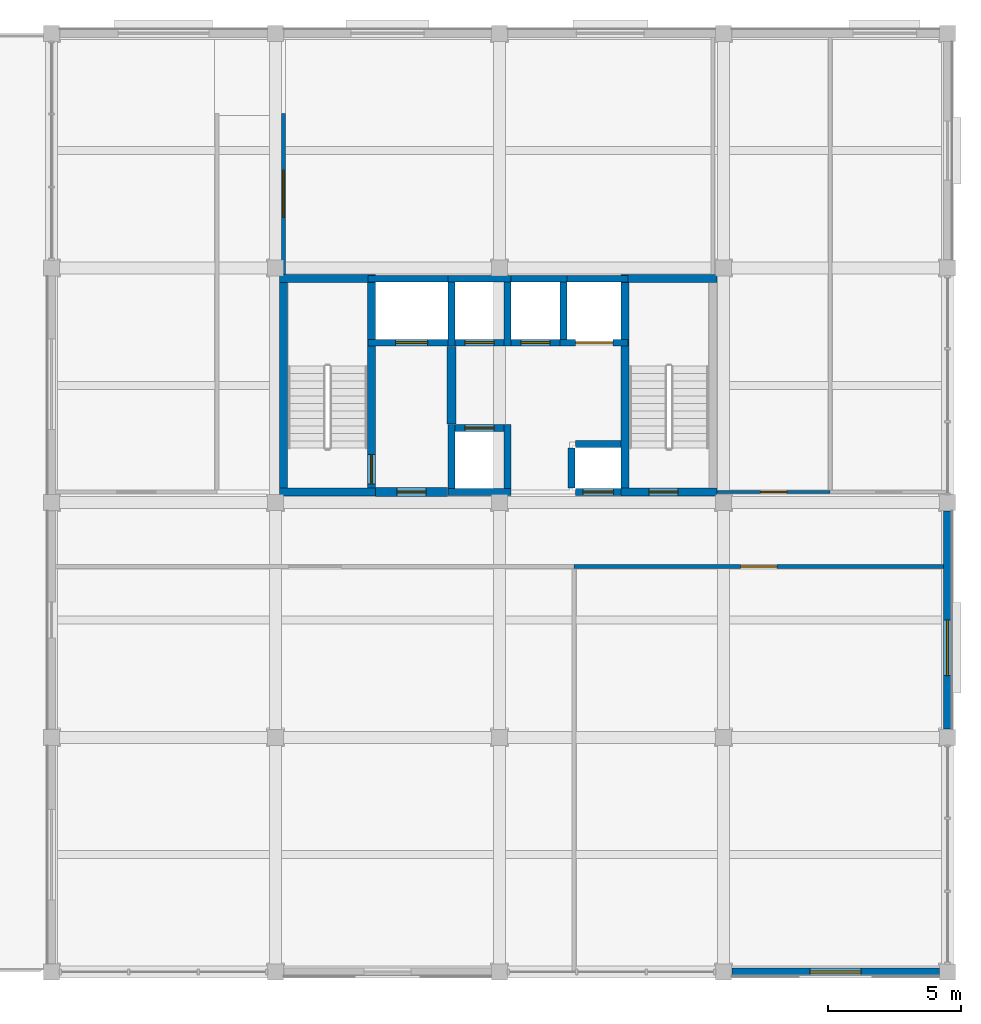
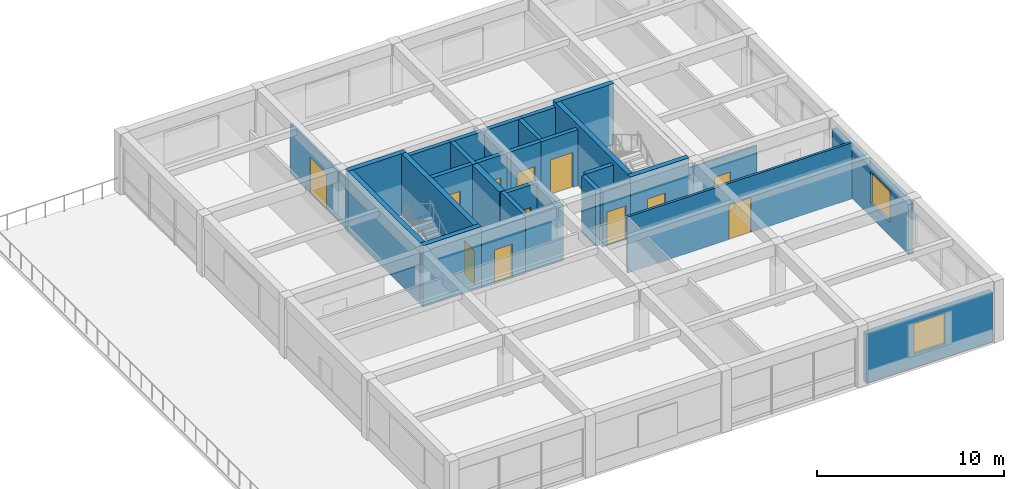
# One storey, part 6 of 10: 32 walls, 12 doors, 2 windows, 14 openings.
"""IFC4 building model written with IfcOpenShell, lengths in metres."""

import ifcopenshell
import ifcopenshell.guid

model = None  # the IFC model being written
_history = None  # IfcOwnerHistory: only IFC2X3 demands one
_inside = {}  # id of a spatial element -> (the spatial element, [elements in it])
_under = {}  # id of a project, library or spatial element -> (it, [spatial elements below it])
_declared = {}  # id of a project -> (the project, [libraries it declares])
_typed = {}  # id of a type object -> (the type object, [elements of that type])
_made_of = {}  # id of a material, layer set ... -> (it, [elements and type objects made of it])


def new_model(schema):
    """Start an empty IFC model of exactly this schema.

    Asked for "IFC4X3", IfcOpenShell would pick the latest addendum, in which some entities
    have other attributes; the version numbers below select the first issue.
    IFC2X3 requires an IfcOwnerHistory on every rooted entity: one is made here for all.
    """
    global model, _history
    if schema == "IFC4X3":
        model = ifcopenshell.file(schema_version=(4, 3, 0, 0))
    else:
        model = ifcopenshell.file(schema=schema)
    _inside.clear()
    _under.clear()
    _declared.clear()
    _typed.clear()
    _made_of.clear()
    _history = None
    if model.schema == "IFC2X3":
        org = make("IfcOrganization", Name="unknown")
        user = make(
            "IfcPersonAndOrganization",
            ThePerson=make("IfcPerson", FamilyName="unknown"),
            TheOrganization=org,
        )
        app = make(
            "IfcApplication",
            ApplicationDeveloper=org,
            Version="unknown",
            ApplicationFullName="unknown",
            ApplicationIdentifier="unknown",
        )
        _history = make(
            "IfcOwnerHistory",
            OwningUser=user,
            OwningApplication=app,
            ChangeAction="ADDED",
            CreationDate=0,
        )
    return model


def make(cls, **values):
    """One entity of the class cls with the attributes given. An attribute that is None is left unset."""
    return model.create_entity(
        cls, **{name: value for name, value in values.items() if value is not None}
    )


def rooted(cls, **values):
    """An entity with a GlobalId (a new one), such as an element, a storey or a relation."""
    return make(cls, GlobalId=ifcopenshell.guid.new(), OwnerHistory=_history, **values)


def si_unit(unit_type, name, prefix=None):
    """IfcSIUnit, for example si_unit("LENGTHUNIT", "METRE", prefix="MILLI")."""
    return make("IfcSIUnit", UnitType=unit_type, Prefix=prefix, Name=name)


def assignment(units):
    """IfcUnitAssignment: the units of a project."""
    return None if units is None else make("IfcUnitAssignment", Units=units)


def point(xyz):
    """IfcCartesianPoint."""
    return None if xyz is None else make("IfcCartesianPoint", Coordinates=xyz)


def direction(xyz):
    """IfcDirection."""
    return None if xyz is None else make("IfcDirection", DirectionRatios=xyz)


def frame(location, z_axis=None, x_axis=None):
    """IfcAxis2Placement3D, a coordinate frame: its origin and axes. An axis left out is left unset."""
    return make(
        "IfcAxis2Placement3D",
        Location=point(location),
        Axis=direction(z_axis),
        RefDirection=direction(x_axis),
    )


def frame_2d(location, x_axis=None):
    """IfcAxis2Placement2D, a coordinate frame in the plane: its origin and x axis."""
    return make(
        "IfcAxis2Placement2D", Location=point(location), RefDirection=direction(x_axis)
    )


def origin():
    """The frame at (0, 0, 0) with its axes left unset."""
    return frame((0.0, 0.0, 0.0))


def place(relative_to, where):
    """IfcLocalPlacement: puts the frame where relative to a parent placement (None: the world)."""
    return make(
        "IfcLocalPlacement", PlacementRelTo=relative_to, RelativePlacement=where
    )


def context(
    kind, dimensions, precision=None, world=None, true_north=None, identifier=None
):
    """IfcGeometricRepresentationContext, for example the 3D "Model" context."""
    return make(
        "IfcGeometricRepresentationContext",
        ContextIdentifier=identifier,
        ContextType=kind,
        CoordinateSpaceDimension=dimensions,
        Precision=precision,
        WorldCoordinateSystem=world,
        TrueNorth=true_north,
    )


def subcontext(parent, identifier, kind, view, scale=None):
    """IfcGeometricRepresentationSubContext, for example "Body" below "Model"."""
    return make(
        "IfcGeometricRepresentationSubContext",
        ContextIdentifier=identifier,
        ContextType=kind,
        ParentContext=parent,
        TargetScale=scale,
        TargetView=view,
    )


def project(units=None, contexts=None):
    """IfcProject with its units and contexts."""
    return rooted(
        "IfcProject",
        Name="project",
        RepresentationContexts=contexts,
        UnitsInContext=assignment(units),
    )


def spatial(cls, under=None, at=None, **own):
    """A site, building, storey or space (cls), placed at a placement, below another one or the project."""
    s = rooted(cls, ObjectPlacement=at, **own)
    if under is not None:
        _under.setdefault(under.id(), (under, []))[1].append(s)
    return s


def profile(cls, at=None, kind="AREA", **sizes):
    """A parametric profile (cls). Its sizes go by their IFC names, for example OverallWidth=200.0."""
    return make(cls, ProfileType=kind, Position=at, **sizes)


def rectangle(**sizes):
    """IfcRectangleProfileDef."""
    return profile("IfcRectangleProfileDef", **sizes)


def extrude(swept, where, along, depth):
    """IfcExtrudedAreaSolid: the profile swept, set in the frame where, extruded along a direction by depth."""
    return make(
        "IfcExtrudedAreaSolid",
        SweptArea=swept,
        Position=where,
        ExtrudedDirection=direction(along),
        Depth=depth,
    )


def shape(context_of_items, identifier, shape_type, items):
    """IfcShapeRepresentation: the items that make up one representation, for example the "Body"."""
    return make(
        "IfcShapeRepresentation",
        ContextOfItems=context_of_items,
        RepresentationIdentifier=identifier,
        RepresentationType=shape_type,
        Items=items,
    )


def material(Name=None, Category=None):
    """IfcMaterial."""
    return make("IfcMaterial", Name=Name, Category=Category)


def layer(
    of_material, thickness, ventilated=None, Name=None, Category=None, Priority=None
):
    """IfcMaterialLayer: one layer of a wall or slab, of a material (None: an air gap)."""
    return make(
        "IfcMaterialLayer",
        Material=of_material,
        LayerThickness=thickness,
        IsVentilated=ventilated,
        Name=Name,
        Category=Category,
        Priority=Priority,
    )


def layer_set(layers, Name=None):
    """IfcMaterialLayerSet."""
    return make("IfcMaterialLayerSet", MaterialLayers=layers, LayerSetName=Name)


def made_of(thing, what):
    """Note that an element or type object is made of a material, layer set ...; save() writes the relation."""
    if what is not None:
        _made_of.setdefault(what.id(), (what, []))[1].append(thing)
    return thing


def type_object(cls, material=None, **own):
    """A type object (cls), such as IfcWallType, which elements share."""
    return made_of(rooted(cls, **own), material)


def element(
    cls,
    number,
    at=None,
    inside=None,
    cuts=None,
    type_object=None,
    material=None,
    context=None,
    identifier="Body",
    shape_type=None,
    held_by="IfcProductDefinitionShape",
    body=None,
    shapes=None,
    **own,
):
    """One element of the class cls, such as IfcWall. Its Tag is "e" and its number.

    at: its placement. inside: the storey or other place that contains it. cuts: it is an
    opening in that element (IfcRelVoidsElement). A single representation is given by context,
    identifier, shape_type and body (its items); several are given by shapes. held_by: the class
    of the entity that holds the representations. save() writes the other relations.
    """
    e = rooted(cls, Tag="e%d" % number, ObjectPlacement=at, **own)
    if body is not None:
        shapes = [shape(context, identifier, shape_type, body)]
    if shapes is not None:
        e.Representation = make(held_by, Representations=shapes)
    if inside is not None:
        _inside.setdefault(inside.id(), (inside, []))[1].append(e)
    if cuts is not None:
        rooted(
            "IfcRelVoidsElement", RelatingBuildingElement=cuts, RelatedOpeningElement=e
        )
    if type_object is not None:
        _typed.setdefault(type_object.id(), (type_object, []))[1].append(e)
    return made_of(e, material)


def fill(opening, filler):
    """IfcRelFillsElement: the door or window that sits in an opening."""
    return rooted(
        "IfcRelFillsElement",
        RelatingOpeningElement=opening,
        RelatedBuildingElement=filler,
    )


def aggregate(whole, parts):
    """IfcRelAggregates: a whole, such as a stair, and the parts it consists of."""
    return rooted("IfcRelAggregates", RelatingObject=whole, RelatedObjects=parts)


def save(model, path):
    """Write the relations noted so far, then the file.

    IfcRelAggregates (storeys below a building ...), IfcRelContainedInSpatialStructure (elements
    in a storey), IfcRelDefinesByType, IfcRelAssociatesMaterial and IfcRelDeclares: one each for
    every whole, place, type object, material and project.
    """
    for whole, parts in _under.values():
        aggregate(whole, parts)
    for where, things in _inside.values():
        rooted(
            "IfcRelContainedInSpatialStructure",
            RelatedElements=things,
            RelatingStructure=where,
        )
    for kind, things in _typed.values():
        rooted("IfcRelDefinesByType", RelatedObjects=things, RelatingType=kind)
    for what, things in _made_of.values():
        rooted("IfcRelAssociatesMaterial", RelatedObjects=things, RelatingMaterial=what)
    for by, libraries in _declared.values():
        rooted("IfcRelDeclares", RelatingContext=by, RelatedDefinitions=libraries)
    model.write(path)


model = new_model("IFC4")

# Units and contexts
model_context = context("Model", 3, precision=1e-05, world=origin(), true_north=direction((0.0, 1.0)))
body_context = subcontext(model_context, "Body", "Model", "MODEL_VIEW")
ifc_project = project(units=[si_unit("LENGTHUNIT", "METRE"), si_unit("AREAUNIT", "SQUARE_METRE"), si_unit("VOLUMEUNIT", "CUBIC_METRE"), si_unit("PLANEANGLEUNIT", "RADIAN"), si_unit("MASSUNIT", "GRAM", prefix="KILO")], contexts=[model_context])

# Site, building, storey
site_placement = place(None, origin())
site = spatial("IfcSite", under=ifc_project, at=site_placement, CompositionType="ELEMENT")
building_placement = place(site_placement, origin())
building = spatial("IfcBuilding", under=site, at=building_placement, Name="Kemercrest Conservatory and Botanical Centre", CompositionType="ELEMENT")
storey_placement = place(building_placement, frame((0.0, 0.0, 48.199951171875)))
storey = spatial("IfcBuildingStorey", under=building, at=storey_placement, Name="L12", CompositionType="ELEMENT", Elevation=48.199951171875)

# Wall
ifc_material_1 = material(Name="Concrete C50/60", Category="concrete")
ifc_layer_1 = layer(ifc_material_1, 0.35009765625)
ifc_layer_set_1 = layer_set([ifc_layer_1], Name="Concrete C50/60")
wall_type_1 = type_object("IfcWallType", Name="CW-CORE", PredefinedType="SHEAR", material=ifc_layer_set_1)
wall_1_placement = place(storey_placement, frame((157.39990234375, 107.75, 0.0), z_axis=(0.0, 0.0, 1.0), x_axis=(0.0, 1.0, 0.0)))
element("IfcWall", 1, at=wall_1_placement, inside=storey, type_object=wall_type_1, Name="Firefighting lift lobby 2-hour separation shear wall", PredefinedType="SHEAR", context=body_context, shape_type="SweptSolid", body=[
    extrude(rectangle(XDim=2.89990234375, YDim=0.35009765625, at=frame_2d((1.449951171875, 0.0))), origin(), (0.0, 0.0, 1.0), 3.679931640625),
])

# Wall, opening, door
wall_2_placement = place(storey_placement, frame((154.550048828125, 105.199951171875, 0.0), z_axis=(0.0, 0.0, 1.0), x_axis=(1.0, 0.0, 0.0)))
wall_2 = element("IfcWall", 2, at=wall_2_placement, inside=storey, type_object=wall_type_1, Name="Firefighting lift lobby south shear wall", PredefinedType="SHEAR", context=body_context, shape_type="SweptSolid", body=[
    extrude(rectangle(XDim=2.699951171875, YDim=0.35009765625, at=frame_2d((1.35009765625, 0.0))), origin(), (0.0, 0.0, 1.0), 3.679931640625),
])
opening_1_placement = place(wall_2_placement, frame((0.800048828125, 0.0, 0.0)))
opening_1 = element("IfcOpeningElement", 3, at=opening_1_placement, cuts=wall_2, Name="Opening D095", PredefinedType="OPENING", context=body_context, shape_type="SweptSolid", body=[
    extrude(rectangle(XDim=1.10009765625, YDim=2.199951171875, at=frame_2d((0.550048828125, 1.10009765625))), frame((0.0, 0.18505859375, 0.0), z_axis=(0.0, -1.0, 0.0), x_axis=(1.0, 0.0, 0.0)), (0.0, 0.0, 1.0), 0.3701171875),
])
ifc_material_2 = material(Name="Powder-coated galvanized steel and fire-rated vision glass", Category="steel")
door_type_1 = type_object("IfcDoorType", Name="DT-FD90", OperationType="NOTDEFINED", PredefinedType="DOOR", material=ifc_material_2)
door_1_placement = place(opening_1_placement, origin())
door_1 = element("IfcDoor", 4, at=door_1_placement, inside=storey, type_object=door_type_1, Name="Firefighting lift lobby corridor fire door D095", OperationType="SINGLE_SWING_LEFT", OverallHeight=2.199951171875, OverallWidth=1.10009765625, PredefinedType="DOOR", context=body_context, shape_type="SweptSolid", body=[
    extrude(rectangle(XDim=1.10009765625, YDim=2.199951171875, at=frame_2d((0.550048828125, 1.10009765625))), frame((0.0, 0.02490234375, 0.0), z_axis=(0.0, -1.0, 0.0), x_axis=(1.0, 0.0, 0.0)), (0.0, 0.0, 1.0), 0.050048828125),
])
fill(opening_1, door_1)

# Walls
ifc_layer_2 = layer(ifc_material_1, 0.300048828125)
ifc_layer_set_2 = layer_set([ifc_layer_2], Name="Concrete C50/60")
wall_type_2 = type_object("IfcWallType", Name="CW-STAIR", PredefinedType="SHEAR", material=ifc_layer_set_2)
for number, where, z_axis, x_axis, name in (
    (5, (150.949951171875, 105.199951171875, 0.0), (0.0, 0.0, 1.0), (1.0, 0.0, 0.0), "Stair core ST-V4A shear wall S"),
    (6, (150.949951171875, 113.199951171875, 0.0), (0.0, 0.0, 1.0), (1.0, 0.0, 0.0), "Stair core ST-V4A shear wall N"),
):
    element("IfcWall", number, at=place(storey_placement, frame(where, z_axis=z_axis, x_axis=x_axis)), inside=storey, type_object=wall_type_2, Name=name, PredefinedType="SHEAR", context=body_context, shape_type="SweptSolid", body=[
        extrude(rectangle(XDim=3.60009765625, YDim=0.300048828125, at=frame_2d((1.800048828125, 0.0))), origin(), (0.0, 0.0, 1.0), 4.0),
    ])
wall_3_placement = place(storey_placement, frame((151.10009765625, 105.050048828125, 0.0), z_axis=(0.0, 0.0, 1.0), x_axis=(0.0, 1.0, 0.0)))
element("IfcWall", 7, at=wall_3_placement, inside=storey, type_object=wall_type_2, Name="Stair core ST-V4A shear wall W", PredefinedType="SHEAR", context=body_context, shape_type="SweptSolid", body=[
    extrude(rectangle(XDim=8.300048828125, YDim=0.300048828125, at=frame_2d((4.14990234375, 0.0))), origin(), (0.0, 0.0, 1.0), 4.0),
])

# Wall, opening, door
wall_4_placement = place(storey_placement, frame((154.39990234375, 105.050048828125, 0.0), z_axis=(0.0, 0.0, 1.0), x_axis=(0.0, 1.0, 0.0)))
wall_4 = element("IfcWall", 8, at=wall_4_placement, inside=storey, type_object=wall_type_2, Name="Stair core ST-V4A shear wall E", PredefinedType="SHEAR", context=body_context, shape_type="SweptSolid", body=[
    extrude(rectangle(XDim=8.300048828125, YDim=0.300048828125, at=frame_2d((4.14990234375, 0.0))), origin(), (0.0, 0.0, 1.0), 4.0),
])
opening_2_placement = place(wall_4_placement, frame((0.449951171875, 0.0, 0.0)))
opening_2 = element("IfcOpeningElement", 9, at=opening_2_placement, cuts=wall_4, Name="Opening D038", PredefinedType="OPENING", context=body_context, shape_type="SweptSolid", body=[
    extrude(rectangle(XDim=1.10009765625, YDim=2.199951171875, at=frame_2d((0.550048828125, 1.10009765625))), frame((0.0, 0.16015625, 0.0), z_axis=(0.0, -1.0, 0.0), x_axis=(1.0, 0.0, 0.0)), (0.0, 0.0, 1.0), 0.320068359375),
])
door_2_placement = place(opening_2_placement, frame((1.10009765625, 0.0, 0.0), z_axis=(0.0, 0.0, 1.0), x_axis=(-1.0, 0.0, 0.0)))
door_2 = element("IfcDoor", 10, at=door_2_placement, inside=storey, type_object=door_type_1, Name="Exit stair ST-V4A fire door D038", OperationType="SINGLE_SWING_RIGHT", OverallHeight=2.199951171875, OverallWidth=1.10009765625, PredefinedType="DOOR", context=body_context, shape_type="SweptSolid", body=[
    extrude(rectangle(XDim=1.10009765625, YDim=2.199951171875, at=frame_2d((0.550048828125, 1.10009765625))), frame((0.0, 0.02490234375, 0.0), z_axis=(0.0, -1.0, 0.0), x_axis=(1.0, 0.0, 0.0)), (0.0, 0.0, 1.0), 0.050048828125),
])
fill(opening_2, door_2)

wall_5_placement = place(storey_placement, frame((163.75, 105.199951171875, 0.0), z_axis=(0.0, 0.0, 1.0), x_axis=(1.0, 0.0, 0.0)))
wall_5 = element("IfcWall", 11, at=wall_5_placement, inside=storey, type_object=wall_type_2, Name="Stair core ST-V4B shear wall S", PredefinedType="SHEAR", context=body_context, shape_type="SweptSolid", body=[
    extrude(rectangle(XDim=3.60009765625, YDim=0.300048828125, at=frame_2d((1.800048828125, 0.0))), origin(), (0.0, 0.0, 1.0), 4.0),
])
opening_3_placement = place(wall_5_placement, frame((1.050048828125, 0.0, 0.0)))
opening_3 = element("IfcOpeningElement", 12, at=opening_3_placement, cuts=wall_5, Name="Opening D057", PredefinedType="OPENING", context=body_context, shape_type="SweptSolid", body=[
    extrude(rectangle(XDim=1.10009765625, YDim=2.199951171875, at=frame_2d((0.550048828125, 1.10009765625))), frame((0.0, 0.16015625, 0.0), z_axis=(0.0, -1.0, 0.0), x_axis=(1.0, 0.0, 0.0)), (0.0, 0.0, 1.0), 0.320068359375),
])
door_3_placement = place(opening_3_placement, origin())
door_3 = element("IfcDoor", 13, at=door_3_placement, inside=storey, type_object=door_type_1, Name="Exit stair ST-V4B fire door D057", OperationType="SINGLE_SWING_LEFT", OverallHeight=2.199951171875, OverallWidth=1.10009765625, PredefinedType="DOOR", context=body_context, shape_type="SweptSolid", body=[
    extrude(rectangle(XDim=1.10009765625, YDim=2.199951171875, at=frame_2d((0.550048828125, 1.10009765625))), frame((0.0, 0.02490234375, 0.0), z_axis=(0.0, -1.0, 0.0), x_axis=(1.0, 0.0, 0.0)), (0.0, 0.0, 1.0), 0.050048828125),
])
fill(opening_3, door_3)

# Walls
wall_6_placement = place(storey_placement, frame((163.75, 113.199951171875, 0.0), z_axis=(0.0, 0.0, 1.0), x_axis=(1.0, 0.0, 0.0)))
element("IfcWall", 14, at=wall_6_placement, inside=storey, type_object=wall_type_2, Name="Stair core ST-V4B shear wall N", PredefinedType="SHEAR", context=body_context, shape_type="SweptSolid", body=[
    extrude(rectangle(XDim=3.60009765625, YDim=0.300048828125, at=frame_2d((1.800048828125, 0.0))), origin(), (0.0, 0.0, 1.0), 4.0),
])
wall_7_placement = place(storey_placement, frame((163.89990234375, 105.050048828125, 0.0), z_axis=(0.0, 0.0, 1.0), x_axis=(0.0, 1.0, 0.0)))
element("IfcWall", 15, at=wall_7_placement, inside=storey, type_object=wall_type_2, Name="Stair core ST-V4B shear wall W", PredefinedType="SHEAR", context=body_context, shape_type="SweptSolid", body=[
    extrude(rectangle(XDim=8.300048828125, YDim=0.300048828125, at=frame_2d((4.14990234375, 0.0))), origin(), (0.0, 0.0, 1.0), 4.0),
])

# Wall, opening, window
ifc_material_3 = material(Name="Precast concrete C40/50", Category="concrete")
ifc_layer_3 = layer(ifc_material_3, 0.300048828125)
ifc_layer_set_3 = layer_set([ifc_layer_3], Name="Precast concrete C40/50")
wall_type_3 = type_object("IfcWallType", Name="W-EXT300", PredefinedType="SOLIDWALL", material=ifc_layer_set_3)
wall_8_placement = place(storey_placement, frame((167.909912109375, 87.199951171875, 0.0), z_axis=(0.0, 0.0, 1.0), x_axis=(1.0, 0.0, 0.0)))
wall_8 = element("IfcWall", 16, at=wall_8_placement, inside=storey, type_object=wall_type_3, Name="Exterior almasik wall W-EXT300 (WAL:L12:EXT-313)", PredefinedType="SOLIDWALL", context=body_context, shape_type="SweptSolid", body=[
    extrude(rectangle(XDim=7.780029296875, YDim=0.300048828125, at=frame_2d((3.89013671875, 0.0))), origin(), (0.0, 0.0, 1.0), 3.25),
])
opening_4_placement = place(wall_8_placement, frame((2.929931640625, 0.0, 0.89990234375)))
opening_4 = element("IfcOpeningElement", 17, at=opening_4_placement, cuts=wall_8, Name="Opening WT-50", PredefinedType="OPENING", context=body_context, shape_type="SweptSolid", body=[
    extrude(rectangle(XDim=1.919921875, YDim=1.97998046875, at=frame_2d((0.9599609375, 0.989990234375))), frame((0.0, 0.16015625, 0.0), z_axis=(0.0, -1.0, 0.0), x_axis=(1.0, 0.0, 0.0)), (0.0, 0.0, 1.0), 0.320068359375),
])
ifc_material_4 = material(Name="Thermally broken bronze-anodized aluminium and triple glazing", Category="aluminium")
window_type_1 = type_object("IfcWindowType", Name="WT-50", PartitioningType="SINGLE_PANEL", PredefinedType="WINDOW", material=ifc_material_4)
window_1_placement = place(opening_4_placement, origin())
window_1 = element("IfcWindow", 18, at=window_1_placement, inside=storey, type_object=window_type_1, Name="Exterior window WT-50 (WIN:L12:EXT-313)", OverallHeight=1.97998046875, OverallWidth=1.919921875, PartitioningType="SINGLE_PANEL", PredefinedType="WINDOW", context=body_context, shape_type="SweptSolid", body=[
    extrude(rectangle(XDim=1.919921875, YDim=1.97998046875, at=frame_2d((0.9599609375, 0.989990234375))), frame((0.0, 0.030029296875, 0.0), z_axis=(0.0, -1.0, 0.0), x_axis=(1.0, 0.0, 0.0)), (0.0, 0.0, 1.0), 0.06005859375),
])
fill(opening_4, window_1)

wall_9_placement = place(storey_placement, frame((176.0, 96.31005859375, 0.0), z_axis=(0.0, 0.0, 1.0), x_axis=(0.0, 1.0, 0.0)))
wall_9 = element("IfcWall", 19, at=wall_9_placement, inside=storey, type_object=wall_type_3, Name="Exterior almasik wall W-EXT300 (WAL:L12:EXT-314)", PredefinedType="SOLIDWALL", context=body_context, shape_type="SweptSolid", body=[
    extrude(rectangle(XDim=8.179931640625, YDim=0.300048828125, at=frame_2d((4.08984375, 0.0))), origin(), (0.0, 0.0, 1.0), 3.25),
])
opening_5_placement = place(wall_9_placement, frame((2.0048828125, 0.0, 0.89990234375)))
opening_5 = element("IfcOpeningElement", 20, at=opening_5_placement, cuts=wall_9, Name="Opening WT-51", PredefinedType="OPENING", context=body_context, shape_type="SweptSolid", body=[
    extrude(rectangle(XDim=2.080078125, YDim=2.0400390625, at=frame_2d((1.0400390625, 1.02001953125))), frame((0.0, 0.16015625, 0.0), z_axis=(0.0, -1.0, 0.0), x_axis=(1.0, 0.0, 0.0)), (0.0, 0.0, 1.0), 0.320068359375),
])
window_type_2 = type_object("IfcWindowType", Name="WT-51", PartitioningType="SINGLE_PANEL", PredefinedType="WINDOW", material=ifc_material_4)
window_2_placement = place(opening_5_placement, origin())
window_2 = element("IfcWindow", 21, at=window_2_placement, inside=storey, type_object=window_type_2, Name="Exterior window WT-51 (WIN:L12:EXT-314)", OverallHeight=2.0400390625, OverallWidth=2.080078125, PartitioningType="SINGLE_PANEL", PredefinedType="WINDOW", context=body_context, shape_type="SweptSolid", body=[
    extrude(rectangle(XDim=2.080078125, YDim=2.0400390625, at=frame_2d((1.0400390625, 1.02001953125))), frame((0.0, 0.030029296875, 0.0), z_axis=(0.0, -1.0, 0.0), x_axis=(1.0, 0.0, 0.0)), (0.0, 0.0, 1.0), 0.06005859375),
])
fill(opening_5, window_2)

# Wall, opening, door
ifc_material_5 = material(Name="Moisture-resistant gypsum board partition", Category="gypsum")
ifc_layer_4 = layer(ifc_material_5, 0.125)
ifc_layer_set_4 = layer_set([ifc_layer_4], Name="Moisture-resistant gypsum board partition")
wall_type_4 = type_object("IfcWallType", Name="W-PART125", PredefinedType="PARTITIONING", material=ifc_layer_set_4)
wall_10_placement = place(storey_placement, frame((167.35498046875, 105.199951171875, 0.0), z_axis=(0.0, 0.0, 1.0), x_axis=(1.0, 0.0, 0.0)))
wall_10 = element("IfcWall", 22, at=wall_10_placement, inside=storey, type_object=wall_type_4, Name="Interior partition W-PART125 #271", PredefinedType="PARTITIONING", context=body_context, shape_type="SweptSolid", body=[
    extrude(rectangle(XDim=4.2451171875, YDim=0.125, at=frame_2d((2.12255859375, 0.0))), origin(), (0.0, 0.0, 1.0), 3.2451171875),
])
opening_6_placement = place(wall_10_placement, frame((1.632568359375, 0.0, 0.0)))
opening_6 = element("IfcOpeningElement", 23, at=opening_6_placement, cuts=wall_10, Name="Opening D260", PredefinedType="OPENING", context=body_context, shape_type="SweptSolid", body=[
    extrude(rectangle(XDim=0.97998046875, YDim=2.10009765625, at=frame_2d((0.489990234375, 1.050048828125))), frame((0.0, 0.072509765625, 0.0), z_axis=(0.0, -1.0, 0.0), x_axis=(1.0, 0.0, 0.0)), (0.0, 0.0, 1.0), 0.14501953125),
])
ifc_material_6 = material(Name="FSC solid-core white oak veneer and anodized aluminium frame", Category="aluminium")
door_type_2 = type_object("IfcDoorType", Name="DT-02", OperationType="NOTDEFINED", PredefinedType="DOOR", material=ifc_material_6)
door_4_placement = place(opening_6_placement, origin())
door_4 = element("IfcDoor", 24, at=door_4_placement, inside=storey, type_object=door_type_2, Name="Public Washroom door D260", OperationType="SINGLE_SWING_RIGHT", OverallHeight=2.10009765625, OverallWidth=0.97998046875, PredefinedType="DOOR", context=body_context, shape_type="SweptSolid", body=[
    extrude(rectangle(XDim=0.97998046875, YDim=2.10009765625, at=frame_2d((0.489990234375, 1.050048828125))), frame((0.0, 0.02490234375, 0.0), z_axis=(0.0, -1.0, 0.0), x_axis=(1.0, 0.0, 0.0)), (0.0, 0.0, 1.0), 0.050048828125),
])
fill(opening_6, door_4)

ifc_material_7 = material(Name="Steel-stud gypsum board partition", Category="steel")
ifc_layer_5 = layer(ifc_material_7, 0.14990234375)
ifc_layer_set_5 = layer_set([ifc_layer_5], Name="Steel-stud gypsum board partition")
wall_type_5 = type_object("IfcWallType", Name="W-PART150", PredefinedType="PARTITIONING", material=ifc_layer_set_5)
wall_11_placement = place(storey_placement, frame((162.0, 102.39990234375, 0.0), z_axis=(0.0, 0.0, 1.0), x_axis=(1.0, 0.0, 0.0)))
wall_11 = element("IfcWall", 25, at=wall_11_placement, inside=storey, type_object=wall_type_5, Name="Interior partition W-PART150 #269", PredefinedType="PARTITIONING", context=body_context, shape_type="SweptSolid", body=[
    extrude(rectangle(XDim=13.844970703125, YDim=0.14990234375, at=frame_2d((6.92236328125, 0.0))), origin(), (0.0, 0.0, 1.0), 3.6650390625),
])
opening_7_placement = place(wall_11_placement, frame((6.242431640625, 0.0, 0.0)))
opening_7 = element("IfcOpeningElement", 26, at=opening_7_placement, cuts=wall_11, Name="Opening D258", PredefinedType="OPENING", context=body_context, shape_type="SweptSolid", body=[
    extrude(rectangle(XDim=1.360107421875, YDim=2.260009765625, at=frame_2d((0.68017578125, 1.1298828125))), frame((0.0, 0.0849609375, 0.0), z_axis=(0.0, -1.0, 0.0), x_axis=(1.0, 0.0, 0.0)), (0.0, 0.0, 1.0), 0.169921875),
])
door_type_3 = type_object("IfcDoorType", Name="DT-39", OperationType="DOUBLE_DOOR_SINGLE_SWING", PredefinedType="DOOR", material=ifc_material_6)
door_5_placement = place(opening_7_placement, origin())
door_5 = element("IfcDoor", 27, at=door_5_placement, inside=storey, type_object=door_type_3, Name="Visiting Fellows Lounge door D258", OperationType="DOUBLE_DOOR_SINGLE_SWING", OverallHeight=2.260009765625, OverallWidth=1.360107421875, PredefinedType="DOOR", context=body_context, shape_type="SweptSolid", body=[
    extrude(rectangle(XDim=1.360107421875, YDim=2.260009765625, at=frame_2d((0.68017578125, 1.1298828125))), frame((0.0, 0.02490234375, 0.0), z_axis=(0.0, -1.0, 0.0), x_axis=(1.0, 0.0, 0.0)), (0.0, 0.0, 1.0), 0.050048828125),
])
fill(opening_7, door_5)

wall_12_placement = place(storey_placement, frame((151.10009765625, 113.35498046875, 0.0), z_axis=(0.0, 0.0, 1.0), x_axis=(0.0, 1.0, 0.0)))
wall_12 = element("IfcWall", 28, at=wall_12_placement, inside=storey, type_object=wall_type_5, Name="Interior partition W-PART150 #274", PredefinedType="PARTITIONING", context=body_context, shape_type="SweptSolid", body=[
    extrude(rectangle(XDim=6.044921875, YDim=0.14990234375, at=frame_2d((3.0224609375, 0.0))), origin(), (0.0, 0.0, 1.0), 3.2451171875),
])
opening_8_placement = place(wall_12_placement, frame((2.142578125, 0.0, 0.0)))
opening_8 = element("IfcOpeningElement", 29, at=opening_8_placement, cuts=wall_12, Name="Opening D262", PredefinedType="OPENING", context=body_context, shape_type="SweptSolid", body=[
    extrude(rectangle(XDim=1.760009765625, YDim=2.360107421875, at=frame_2d((0.8798828125, 1.18017578125))), frame((0.0, 0.0849609375, 0.0), z_axis=(0.0, -1.0, 0.0), x_axis=(1.0, 0.0, 0.0)), (0.0, 0.0, 1.0), 0.169921875),
])
door_type_4 = type_object("IfcDoorType", Name="DT-43", OperationType="DOUBLE_DOOR_SINGLE_SWING", PredefinedType="DOOR", material=ifc_material_6)
door_6_placement = place(opening_8_placement, origin())
door_6 = element("IfcDoor", 30, at=door_6_placement, inside=storey, type_object=door_type_4, Name="Fellowship Director Office door D262", OperationType="DOUBLE_DOOR_SINGLE_SWING", OverallHeight=2.360107421875, OverallWidth=1.760009765625, PredefinedType="DOOR", context=body_context, shape_type="SweptSolid", body=[
    extrude(rectangle(XDim=1.760009765625, YDim=2.360107421875, at=frame_2d((0.8798828125, 1.18017578125))), frame((0.0, 0.02490234375, 0.0), z_axis=(0.0, -1.0, 0.0), x_axis=(1.0, 0.0, 0.0)), (0.0, 0.0, 1.0), 0.050048828125),
])
fill(opening_8, door_6)

ifc_material_8 = material(Name="Concrete C40/50", Category="concrete")
ifc_layer_6 = layer(ifc_material_8, 0.25)
ifc_layer_set_6 = layer_set([ifc_layer_6], Name="Concrete C40/50")
wall_type_6 = type_object("IfcWallType", Name="W-SHFT250", PredefinedType="SOLIDWALL", material=ifc_layer_set_6)
wall_13_placement = place(storey_placement, frame((154.27490234375, 110.800048828125, 0.0), z_axis=(0.0, 0.0, 1.0), x_axis=(1.0, 0.0, 0.0)))
wall_13 = element("IfcWall", 31, at=wall_13_placement, inside=storey, type_object=wall_type_6, Name="Elevator LF-FF1 shaft wall south", PredefinedType="SOLIDWALL", context=body_context, shape_type="SweptSolid", body=[
    extrude(rectangle(XDim=3.25, YDim=0.25, at=frame_2d((1.625, 0.0))), origin(), (0.0, 0.0, 1.0), 3.679931640625),
])
opening_9_placement = place(wall_13_placement, frame((1.02490234375, 0.0, 0.0)))
opening_9 = element("IfcOpeningElement", 32, at=opening_9_placement, cuts=wall_13, Name="Opening LD-014", PredefinedType="OPENING", context=body_context, shape_type="SweptSolid", body=[
    extrude(rectangle(XDim=1.199951171875, YDim=2.199951171875, at=frame_2d((0.60009765625, 1.10009765625))), frame((0.0, 0.135009765625, 0.0), z_axis=(0.0, -1.0, 0.0), x_axis=(1.0, 0.0, 0.0)), (0.0, 0.0, 1.0), 0.27001953125),
])
door_type_5 = type_object("IfcDoorType", Name="DT-LD02", OperationType="SLIDING_TO_LEFT", PredefinedType="DOOR", material=ifc_material_2)
door_7_placement = place(opening_9_placement, origin())
door_7 = element("IfcDoor", 33, at=door_7_placement, inside=storey, type_object=door_type_5, Name="Elevator LF-FF1 sliding landing door LD-014", OperationType="SLIDING_TO_LEFT", OverallHeight=2.199951171875, OverallWidth=1.199951171875, PredefinedType="DOOR", context=body_context, shape_type="SweptSolid", body=[
    extrude(rectangle(XDim=1.199951171875, YDim=2.199951171875, at=frame_2d((0.60009765625, 1.10009765625))), frame((0.0, 0.02490234375, 0.0), z_axis=(0.0, -1.0, 0.0), x_axis=(1.0, 0.0, 0.0)), (0.0, 0.0, 1.0), 0.050048828125),
])
fill(opening_9, door_7)

# Walls
wall_14_placement = place(storey_placement, frame((154.27490234375, 113.199951171875, 0.0), z_axis=(0.0, 0.0, 1.0), x_axis=(1.0, 0.0, 0.0)))
element("IfcWall", 34, at=wall_14_placement, inside=storey, type_object=wall_type_6, Name="Elevator LF-FF1 shaft wall north", PredefinedType="SOLIDWALL", context=body_context, shape_type="SweptSolid", body=[
    extrude(rectangle(XDim=3.25, YDim=0.25, at=frame_2d((1.625, 0.0))), origin(), (0.0, 0.0, 1.0), 3.679931640625),
])
wall_15_placement = place(storey_placement, frame((157.39990234375, 110.675048828125, 0.0), z_axis=(0.0, 0.0, 1.0), x_axis=(0.0, 1.0, 0.0)))
element("IfcWall", 35, at=wall_15_placement, inside=storey, type_object=wall_type_6, Name="Elevator LF-FF1 shaft wall east", PredefinedType="SOLIDWALL", context=body_context, shape_type="SweptSolid", body=[
    extrude(rectangle(XDim=2.64990234375, YDim=0.25, at=frame_2d((1.324951171875, 0.0))), origin(), (0.0, 0.0, 1.0), 3.679931640625),
])

# Wall, opening, door
wall_16_placement = place(storey_placement, frame((157.27490234375, 110.800048828125, 0.0), z_axis=(0.0, 0.0, 1.0), x_axis=(1.0, 0.0, 0.0)))
wall_16 = element("IfcWall", 36, at=wall_16_placement, inside=storey, type_object=wall_type_6, Name="Elevator LF-P1 shaft wall south", PredefinedType="SOLIDWALL", context=body_context, shape_type="SweptSolid", body=[
    extrude(rectangle(XDim=2.35009765625, YDim=0.25, at=frame_2d((1.175048828125, 0.0))), origin(), (0.0, 0.0, 1.0), 3.679931640625),
])
opening_10_placement = place(wall_16_placement, frame((0.625, 0.0, 0.0)))
opening_10 = element("IfcOpeningElement", 37, at=opening_10_placement, cuts=wall_16, Name="Opening LD-033", PredefinedType="OPENING", context=body_context, shape_type="SweptSolid", body=[
    extrude(rectangle(XDim=1.10009765625, YDim=2.199951171875, at=frame_2d((0.550048828125, 1.10009765625))), frame((0.0, 0.135009765625, 0.0), z_axis=(0.0, -1.0, 0.0), x_axis=(1.0, 0.0, 0.0)), (0.0, 0.0, 1.0), 0.27001953125),
])
door_type_6 = type_object("IfcDoorType", Name="DT-LD01", OperationType="SLIDING_TO_LEFT", PredefinedType="DOOR", material=ifc_material_2)
door_8_placement = place(opening_10_placement, origin())
door_8 = element("IfcDoor", 38, at=door_8_placement, inside=storey, type_object=door_type_6, Name="Elevator LF-P1 sliding landing door LD-033", OperationType="SLIDING_TO_LEFT", OverallHeight=2.199951171875, OverallWidth=1.10009765625, PredefinedType="DOOR", context=body_context, shape_type="SweptSolid", body=[
    extrude(rectangle(XDim=1.10009765625, YDim=2.199951171875, at=frame_2d((0.550048828125, 1.10009765625))), frame((0.0, 0.02490234375, 0.0), z_axis=(0.0, -1.0, 0.0), x_axis=(1.0, 0.0, 0.0)), (0.0, 0.0, 1.0), 0.050048828125),
])
fill(opening_10, door_8)

# Walls
wall_17_placement = place(storey_placement, frame((157.27490234375, 113.199951171875, 0.0), z_axis=(0.0, 0.0, 1.0), x_axis=(1.0, 0.0, 0.0)))
element("IfcWall", 39, at=wall_17_placement, inside=storey, type_object=wall_type_6, Name="Elevator LF-P1 shaft wall north", PredefinedType="SOLIDWALL", context=body_context, shape_type="SweptSolid", body=[
    extrude(rectangle(XDim=2.35009765625, YDim=0.25, at=frame_2d((1.175048828125, 0.0))), origin(), (0.0, 0.0, 1.0), 3.679931640625),
])
wall_18_placement = place(storey_placement, frame((159.5, 110.675048828125, 0.0), z_axis=(0.0, 0.0, 1.0), x_axis=(0.0, 1.0, 0.0)))
element("IfcWall", 40, at=wall_18_placement, inside=storey, type_object=wall_type_6, Name="Elevator LF-P1 shaft wall east", PredefinedType="SOLIDWALL", context=body_context, shape_type="SweptSolid", body=[
    extrude(rectangle(XDim=2.64990234375, YDim=0.25, at=frame_2d((1.324951171875, 0.0))), origin(), (0.0, 0.0, 1.0), 3.679931640625),
])

# Wall, opening, door
wall_19_placement = place(storey_placement, frame((159.375, 110.800048828125, 0.0), z_axis=(0.0, 0.0, 1.0), x_axis=(1.0, 0.0, 0.0)))
wall_19 = element("IfcWall", 41, at=wall_19_placement, inside=storey, type_object=wall_type_6, Name="Elevator LF-P2 shaft wall south", PredefinedType="SOLIDWALL", context=body_context, shape_type="SweptSolid", body=[
    extrude(rectangle(XDim=2.35009765625, YDim=0.25, at=frame_2d((1.175048828125, 0.0))), origin(), (0.0, 0.0, 1.0), 3.679931640625),
])
opening_11_placement = place(wall_19_placement, frame((0.625, 0.0, 0.0)))
opening_11 = element("IfcOpeningElement", 42, at=opening_11_placement, cuts=wall_19, Name="Opening LD-052", PredefinedType="OPENING", context=body_context, shape_type="SweptSolid", body=[
    extrude(rectangle(XDim=1.10009765625, YDim=2.199951171875, at=frame_2d((0.550048828125, 1.10009765625))), frame((0.0, 0.135009765625, 0.0), z_axis=(0.0, -1.0, 0.0), x_axis=(1.0, 0.0, 0.0)), (0.0, 0.0, 1.0), 0.27001953125),
])
door_9_placement = place(opening_11_placement, origin())
door_9 = element("IfcDoor", 43, at=door_9_placement, inside=storey, type_object=door_type_6, Name="Elevator LF-P2 sliding landing door LD-052", OperationType="SLIDING_TO_LEFT", OverallHeight=2.199951171875, OverallWidth=1.10009765625, PredefinedType="DOOR", context=body_context, shape_type="SweptSolid", body=[
    extrude(rectangle(XDim=1.10009765625, YDim=2.199951171875, at=frame_2d((0.550048828125, 1.10009765625))), frame((0.0, 0.02490234375, 0.0), z_axis=(0.0, -1.0, 0.0), x_axis=(1.0, 0.0, 0.0)), (0.0, 0.0, 1.0), 0.050048828125),
])
fill(opening_11, door_9)

# Walls
wall_20_placement = place(storey_placement, frame((159.375, 113.199951171875, 0.0), z_axis=(0.0, 0.0, 1.0), x_axis=(1.0, 0.0, 0.0)))
element("IfcWall", 44, at=wall_20_placement, inside=storey, type_object=wall_type_6, Name="Elevator LF-P2 shaft wall north", PredefinedType="SOLIDWALL", context=body_context, shape_type="SweptSolid", body=[
    extrude(rectangle(XDim=2.35009765625, YDim=0.25, at=frame_2d((1.175048828125, 0.0))), origin(), (0.0, 0.0, 1.0), 3.679931640625),
])
wall_21_placement = place(storey_placement, frame((161.60009765625, 110.675048828125, 0.0), z_axis=(0.0, 0.0, 1.0), x_axis=(0.0, 1.0, 0.0)))
element("IfcWall", 45, at=wall_21_placement, inside=storey, type_object=wall_type_6, Name="Elevator LF-P2 shaft wall east", PredefinedType="SOLIDWALL", context=body_context, shape_type="SweptSolid", body=[
    extrude(rectangle(XDim=2.64990234375, YDim=0.25, at=frame_2d((1.324951171875, 0.0))), origin(), (0.0, 0.0, 1.0), 3.679931640625),
])
wall_22_placement = place(storey_placement, frame((157.27490234375, 105.199951171875, 0.0), z_axis=(0.0, 0.0, 1.0), x_axis=(1.0, 0.0, 0.0)))
element("IfcWall", 46, at=wall_22_placement, inside=storey, type_object=wall_type_6, Name="Elevator LF-P3 shaft wall south", PredefinedType="SOLIDWALL", context=body_context, shape_type="SweptSolid", body=[
    extrude(rectangle(XDim=2.35009765625, YDim=0.25, at=frame_2d((1.175048828125, 0.0))), origin(), (0.0, 0.0, 1.0), 3.679931640625),
])

# Wall, opening, door
wall_23_placement = place(storey_placement, frame((157.27490234375, 107.60009765625, 0.0), z_axis=(0.0, 0.0, 1.0), x_axis=(1.0, 0.0, 0.0)))
wall_23 = element("IfcWall", 47, at=wall_23_placement, inside=storey, type_object=wall_type_6, Name="Elevator LF-P3 shaft wall north", PredefinedType="SOLIDWALL", context=body_context, shape_type="SweptSolid", body=[
    extrude(rectangle(XDim=2.35009765625, YDim=0.25, at=frame_2d((1.175048828125, 0.0))), origin(), (0.0, 0.0, 1.0), 3.679931640625),
])
opening_12_placement = place(wall_23_placement, frame((0.625, 0.0, 0.0)))
opening_12 = element("IfcOpeningElement", 48, at=opening_12_placement, cuts=wall_23, Name="Opening LD-070", PredefinedType="OPENING", context=body_context, shape_type="SweptSolid", body=[
    extrude(rectangle(XDim=1.10009765625, YDim=2.199951171875, at=frame_2d((0.550048828125, 1.10009765625))), frame((0.0, 0.135009765625, 0.0), z_axis=(0.0, -1.0, 0.0), x_axis=(1.0, 0.0, 0.0)), (0.0, 0.0, 1.0), 0.27001953125),
])
door_10_placement = place(opening_12_placement, origin())
door_10 = element("IfcDoor", 49, at=door_10_placement, inside=storey, type_object=door_type_6, Name="Elevator LF-P3 sliding landing door LD-070", OperationType="SLIDING_TO_LEFT", OverallHeight=2.199951171875, OverallWidth=1.10009765625, PredefinedType="DOOR", context=body_context, shape_type="SweptSolid", body=[
    extrude(rectangle(XDim=1.10009765625, YDim=2.199951171875, at=frame_2d((0.550048828125, 1.10009765625))), frame((0.0, 0.02490234375, 0.0), z_axis=(0.0, -1.0, 0.0), x_axis=(1.0, 0.0, 0.0)), (0.0, 0.0, 1.0), 0.050048828125),
])
fill(opening_12, door_10)

# Walls
for number, where, z_axis, x_axis, name in (
    (50, (157.39990234375, 105.074951171875, 0.0), (0.0, 0.0, 1.0), (0.0, 1.0, 0.0), "Elevator LF-P3 shaft wall west"),
    (51, (159.5, 105.074951171875, 0.0), (0.0, 0.0, 1.0), (0.0, 1.0, 0.0), "Elevator LF-P3 shaft wall east"),
):
    element("IfcWall", number, at=place(storey_placement, frame(where, z_axis=z_axis, x_axis=x_axis)), inside=storey, type_object=wall_type_6, Name=name, PredefinedType="SOLIDWALL", context=body_context, shape_type="SweptSolid", body=[
        extrude(rectangle(XDim=2.650146484375, YDim=0.25, at=frame_2d((1.3251953125, 0.0))), origin(), (0.0, 0.0, 1.0), 3.679931640625),
    ])

# Wall, opening, door
wall_24_placement = place(storey_placement, frame((161.47509765625, 110.800048828125, 0.0), z_axis=(0.0, 0.0, 1.0), x_axis=(1.0, 0.0, 0.0)))
wall_24 = element("IfcWall", 52, at=wall_24_placement, inside=storey, type_object=wall_type_6, Name="Elevator LF-G1 shaft wall south", PredefinedType="SOLIDWALL", context=body_context, shape_type="SweptSolid", body=[
    extrude(rectangle(XDim=2.5498046875, YDim=0.25, at=frame_2d((1.27490234375, 0.0))), origin(), (0.0, 0.0, 1.0), 3.679931640625),
])
opening_13_placement = place(wall_24_placement, frame((0.574951171875, 0.0, 0.0)))
opening_13 = element("IfcOpeningElement", 53, at=opening_13_placement, cuts=wall_24, Name="Opening LD-088", PredefinedType="OPENING", context=body_context, shape_type="SweptSolid", body=[
    extrude(rectangle(XDim=1.39990234375, YDim=2.300048828125, at=frame_2d((0.699951171875, 1.14990234375))), frame((0.0, 0.135009765625, 0.0), z_axis=(0.0, -1.0, 0.0), x_axis=(1.0, 0.0, 0.0)), (0.0, 0.0, 1.0), 0.27001953125),
])
door_type_7 = type_object("IfcDoorType", Name="DT-LD03", OperationType="SLIDING_TO_LEFT", PredefinedType="DOOR", material=ifc_material_2)
door_11_placement = place(opening_13_placement, origin())
door_11 = element("IfcDoor", 54, at=door_11_placement, inside=storey, type_object=door_type_7, Name="Elevator LF-G1 sliding landing door LD-088", OperationType="SLIDING_TO_LEFT", OverallHeight=2.300048828125, OverallWidth=1.39990234375, PredefinedType="DOOR", context=body_context, shape_type="SweptSolid", body=[
    extrude(rectangle(XDim=1.39990234375, YDim=2.300048828125, at=frame_2d((0.699951171875, 1.14990234375))), frame((0.0, 0.02490234375, 0.0), z_axis=(0.0, -1.0, 0.0), x_axis=(1.0, 0.0, 0.0)), (0.0, 0.0, 1.0), 0.050048828125),
])
fill(opening_13, door_11)

# Walls
wall_25_placement = place(storey_placement, frame((161.47509765625, 113.199951171875, 0.0), z_axis=(0.0, 0.0, 1.0), x_axis=(1.0, 0.0, 0.0)))
element("IfcWall", 55, at=wall_25_placement, inside=storey, type_object=wall_type_6, Name="Elevator LF-G1 shaft wall north", PredefinedType="SOLIDWALL", context=body_context, shape_type="SweptSolid", body=[
    extrude(rectangle(XDim=2.5498046875, YDim=0.25, at=frame_2d((1.27490234375, 0.0))), origin(), (0.0, 0.0, 1.0), 3.679931640625),
])
wall_26_placement = place(storey_placement, frame((161.89990234375, 105.35009765625, 0.0), z_axis=(0.0, 0.0, 1.0), x_axis=(0.0, 1.0, 0.0)))
element("IfcWall", 56, at=wall_26_placement, inside=storey, type_object=wall_type_6, Name="Core service riser shaft wall W", PredefinedType="SOLIDWALL", context=body_context, shape_type="SweptSolid", body=[
    extrude(rectangle(XDim=1.5, YDim=0.25, at=frame_2d((0.75, 0.0))), origin(), (0.0, 0.0, 1.0), 3.679931640625),
])
wall_27_placement = place(storey_placement, frame((162.050048828125, 107.0, 0.0), z_axis=(0.0, 0.0, 1.0), x_axis=(1.0, 0.0, 0.0)))
element("IfcWall", 57, at=wall_27_placement, inside=storey, type_object=wall_type_6, Name="Core service riser shaft wall N", PredefinedType="SOLIDWALL", context=body_context, shape_type="SweptSolid", body=[
    extrude(rectangle(XDim=1.699951171875, YDim=0.25, at=frame_2d((0.85009765625, 0.0))), origin(), (0.0, 0.0, 1.0), 3.679931640625),
])

# Wall, opening, door
wall_28_placement = place(storey_placement, frame((162.050048828125, 105.199951171875, 0.0), z_axis=(0.0, 0.0, 1.0), x_axis=(1.0, 0.0, 0.0)))
wall_28 = element("IfcWall", 58, at=wall_28_placement, inside=storey, type_object=wall_type_6, Name="Core service riser shaft wall S", PredefinedType="SOLIDWALL", context=body_context, shape_type="SweptSolid", body=[
    extrude(rectangle(XDim=1.699951171875, YDim=0.25, at=frame_2d((0.85009765625, 0.0))), origin(), (0.0, 0.0, 1.0), 3.679931640625),
])
opening_14_placement = place(wall_28_placement, frame((0.27001953125, 0.0, 0.0)))
opening_14 = element("IfcOpeningElement", 59, at=opening_14_placement, cuts=wall_28, Name="Opening D096", PredefinedType="OPENING", context=body_context, shape_type="SweptSolid", body=[
    extrude(rectangle(XDim=1.14990234375, YDim=2.199951171875, at=frame_2d((0.574951171875, 1.10009765625))), frame((0.0, 0.135009765625, 0.0), z_axis=(0.0, -1.0, 0.0), x_axis=(1.0, 0.0, 0.0)), (0.0, 0.0, 1.0), 0.27001953125),
])
door_type_8 = type_object("IfcDoorType", Name="DT-FD60", OperationType="NOTDEFINED", PredefinedType="DOOR", material=ifc_material_2)
door_12_placement = place(opening_14_placement, origin())
door_12 = element("IfcDoor", 60, at=door_12_placement, inside=storey, type_object=door_type_8, Name="Service riser access fire door D096", OperationType="SINGLE_SWING_RIGHT", OverallHeight=2.199951171875, OverallWidth=1.14990234375, PredefinedType="DOOR", context=body_context, shape_type="SweptSolid", body=[
    extrude(rectangle(XDim=1.14990234375, YDim=2.199951171875, at=frame_2d((0.574951171875, 1.10009765625))), frame((0.0, 0.02490234375, 0.0), z_axis=(0.0, -1.0, 0.0), x_axis=(1.0, 0.0, 0.0)), (0.0, 0.0, 1.0), 0.050048828125),
])
fill(opening_14, door_12)

save(model, "model.ifc")
